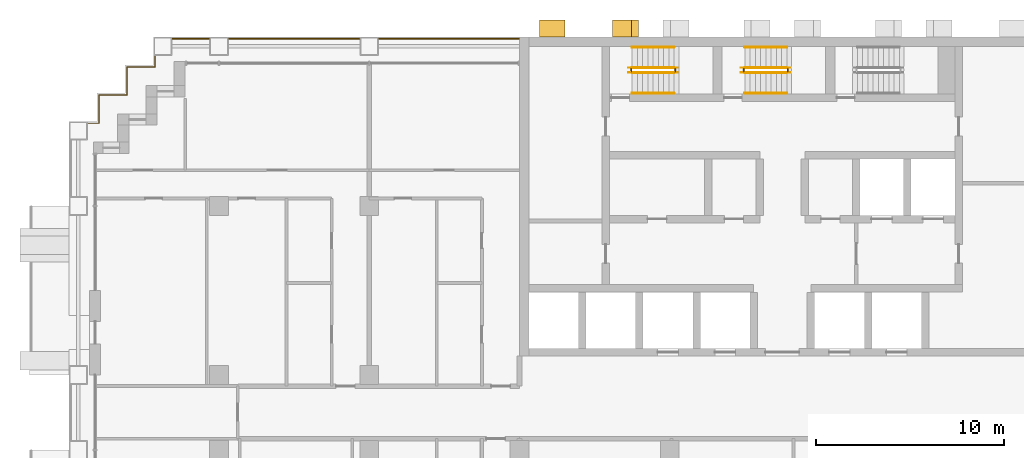
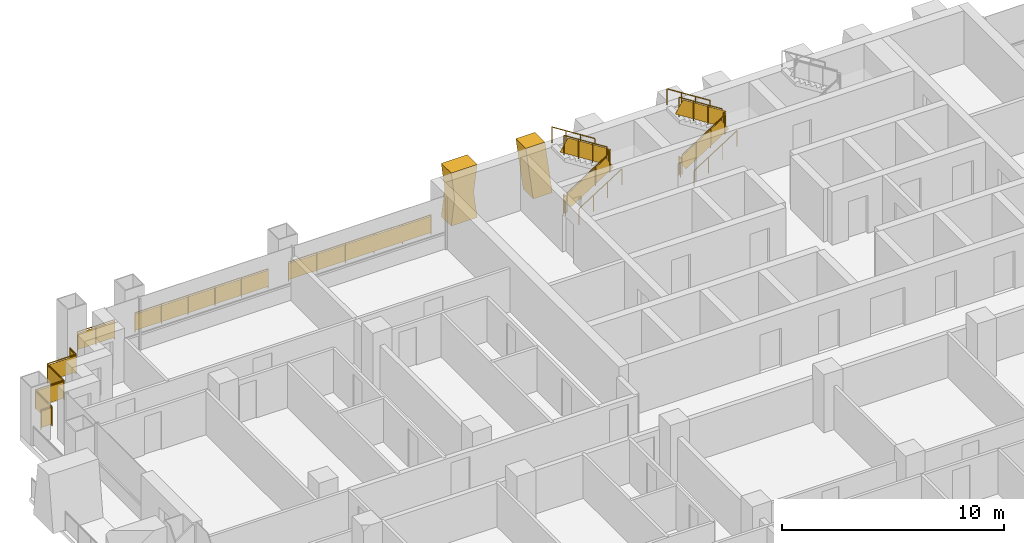
# One storey, part 16 of 18: 16 railings, 2 shading devices.
"""IFC4 building model written with IfcOpenShell, lengths in metres."""

from ifc_helpers import new_model, si_unit, direction, frame, origin, origin_2d, place, context, subcontext, project, spatial, polyline, rectangle, circle, outline, extrude, material, layer, layer_set, type_object, element, save


model = new_model("IFC4")

# Units and contexts
model_context = context("Model", 3, precision=1e-05, world=origin(), true_north=direction((0.0, 1.0)))
body_context = subcontext(model_context, "Body", "Model", "MODEL_VIEW")
ifc_project = project(units=[si_unit("LENGTHUNIT", "METRE"), si_unit("AREAUNIT", "SQUARE_METRE"), si_unit("VOLUMEUNIT", "CUBIC_METRE"), si_unit("PLANEANGLEUNIT", "RADIAN"), si_unit("MASSUNIT", "GRAM", prefix="KILO")], contexts=[model_context])

# Site, building, storey
site_placement = place(None, origin())
site = spatial("IfcSite", under=ifc_project, at=site_placement, CompositionType="ELEMENT")
building_placement = place(site_placement, origin())
building = spatial("IfcBuilding", under=site, at=building_placement, Name="Vidyagriha Tower", CompositionType="ELEMENT")
storey_placement = place(building_placement, frame((0.0, 0.0, 51.199951171875)))
storey = spatial("IfcBuildingStorey", under=building, at=storey_placement, Name="L13", CompositionType="ELEMENT", Elevation=51.199951171875)

# Shading devices
ifc_material_1 = material(Name="Precast concrete C40/50 with brick facing", Category="concrete")
ifc_layer_1 = layer(ifc_material_1, 1.0)
ifc_layer_set_1 = layer_set([ifc_layer_1], Name="Precast concrete C40/50 with brick facing")
shading_device_type_1 = type_object("IfcShadingDeviceType", Name="Brick-faced rear rib arm leaning 8 degrees", PredefinedType="USERDEFINED", material=ifc_layer_set_1)
shading_device_1_placement = place(storey_placement, frame((-7.656982421875, 20.449951171875, 0.0), z_axis=(0.0, 0.0, 1.0), x_axis=(-1.0, 0.0, 0.0)))
element("IfcShadingDevice", 1, at=shading_device_1_placement, inside=storey, type_object=shading_device_type_1, Name="Rear rib arm L13 R08.4a", ObjectType="BLADE FIN", PredefinedType="USERDEFINED", context=body_context, shape_type="SweptSolid", body=[
    extrude(outline(polyline([(0.0, 0.0), (1.0, 0.0), (1.3857421875, 2.920166015625), (0.3857421875, 2.920166015625), (0.0, 0.0)])), frame((0.0, 0.449951171875, 0.0), z_axis=(0.0, -1.0, 0.0), x_axis=(1.0, 0.0, 0.0)), (0.0, 0.0, 1.0), 0.89990234375),
])
ifc_material_2 = material(Name="Precast concrete C40/50 with brick facing", Category="concrete")
ifc_layer_2 = layer(ifc_material_2, 1.0)
ifc_layer_set_2 = layer_set([ifc_layer_2], Name="Precast concrete C40/50 with brick facing")
shading_device_type_2 = type_object("IfcShadingDeviceType", Name="Brick-faced rear rib forking 8 degrees", PredefinedType="USERDEFINED", material=ifc_layer_set_2)
shading_device_2_placement = place(storey_placement, frame((-11.5712890625, 20.449951171875, 0.0), z_axis=(0.0, 0.0, 1.0), x_axis=(-1.0, 0.0, 0.0)))
element("IfcShadingDevice", 2, at=shading_device_2_placement, inside=storey, type_object=shading_device_type_2, Name="Rear rib fork L13 R08.5a", ObjectType="BLADE FIN", PredefinedType="USERDEFINED", context=body_context, shape_type="SweptSolid", body=[
    extrude(outline(polyline([(0.0, 0.0), (1.357177734375, 0.0), (1.1787109375, 1.4599609375), (1.357177734375, 2.920166015625), (0.0, 2.920166015625), (0.1787109375, 1.4599609375), (0.0, 0.0)])), frame((0.0, 0.449951171875, 0.0), z_axis=(0.0, -1.0, 0.0), x_axis=(1.0, 0.0, 0.0)), (0.0, 0.0, 1.0), 0.89990234375),
])

# Railings
ifc_material_3 = material(Name="Steel ASTM A500 Grade C black painted", Category="steel")
railing_type_1 = type_object("IfcRailingType", Name="Gallery guard 1100", PredefinedType="GUARDRAIL", material=ifc_material_3)
railing_1_placement = place(storey_placement, frame((-36.969970703125, 15.39990234375, 0.0)))
element("IfcRailing", 3, at=railing_1_placement, inside=storey, type_object=railing_type_1, Name="Gallery guard L13 5", PredefinedType="GUARDRAIL", context=body_context, shape_type="SweptSolid", body=[
    extrude(circle(Radius=0.02490234375, at=origin_2d()), frame((0.0, 0.0, 1.0751953125), z_axis=(1.0, 0.0, 0.0), x_axis=(0.0, 1.0, 0.0)), (0.0, 0.0, 1.0), 0.570068359375),
    extrude(circle(Radius=0.02490234375, at=origin_2d()), frame((0.570068359375, 0.0, 1.0751953125), z_axis=(0.0, 1.0, 0.0), x_axis=(-1.0, 0.0, 0.0)), (0.0, 0.0, 1.0), 1.5),
    extrude(circle(Radius=0.02490234375, at=origin_2d()), frame((0.570068359375, 1.5, 1.0751953125), z_axis=(1.0, 0.0, 0.0), x_axis=(0.0, 1.0, 0.0)), (0.0, 0.0, 1.0), 1.5),
    extrude(circle(Radius=0.02490234375, at=origin_2d()), frame((2.070068359375, 1.5, 1.0751953125), z_axis=(0.0, 1.0, 0.0), x_axis=(-1.0, 0.0, 0.0)), (0.0, 0.0, 1.0), 1.5),
    extrude(circle(Radius=0.02490234375, at=origin_2d()), frame((2.070068359375, 3.0, 1.0751953125), z_axis=(1.0, 0.0, 0.0), x_axis=(0.0, 1.0, 0.0)), (0.0, 0.0, 1.0), 1.5),
    extrude(circle(Radius=0.02490234375, at=origin_2d()), frame((3.570068359375, 3.0, 1.0751953125), z_axis=(0.0, 1.0, 0.0), x_axis=(-1.0, 0.0, 0.0)), (0.0, 0.0, 1.0), 0.570068359375),
    extrude(circle(Radius=0.02001953125, at=origin_2d()), origin(), (0.0, 0.0, 1.0), 1.050048828125),
    extrude(circle(Radius=0.02001953125, at=origin_2d()), frame((0.570068359375, 0.0, 0.0)), (0.0, 0.0, 1.0), 1.050048828125),
    extrude(circle(Radius=0.02001953125, at=origin_2d()), frame((0.570068359375, 1.5, 0.0)), (0.0, 0.0, 1.0), 1.050048828125),
    extrude(circle(Radius=0.02001953125, at=origin_2d()), frame((2.070068359375, 1.5, 0.0)), (0.0, 0.0, 1.0), 1.050048828125),
    extrude(circle(Radius=0.02001953125, at=origin_2d()), frame((2.070068359375, 3.0, 0.0)), (0.0, 0.0, 1.0), 1.050048828125),
    extrude(circle(Radius=0.02001953125, at=origin_2d()), frame((3.570068359375, 3.0, 0.0)), (0.0, 0.0, 1.0), 1.050048828125),
    extrude(circle(Radius=0.02001953125, at=origin_2d()), frame((3.570068359375, 3.570068359375, 0.0)), (0.0, 0.0, 1.0), 1.050048828125),
    extrude(rectangle(XDim=0.010009765625, YDim=0.900146484375, at=origin_2d()), frame((0.0, 0.0, 0.550048828125), z_axis=(1.0, 0.0, 0.0), x_axis=(0.0, 1.0, 0.0)), (0.0, 0.0, 1.0), 0.570068359375),
    extrude(rectangle(XDim=0.010009765625, YDim=0.900146484375, at=origin_2d()), frame((0.570068359375, 0.0, 0.550048828125), z_axis=(0.0, 1.0, 0.0), x_axis=(-1.0, 0.0, 0.0)), (0.0, 0.0, 1.0), 1.5),
    extrude(rectangle(XDim=0.010009765625, YDim=0.900146484375, at=origin_2d()), frame((0.570068359375, 1.5, 0.550048828125), z_axis=(1.0, 0.0, 0.0), x_axis=(0.0, 1.0, 0.0)), (0.0, 0.0, 1.0), 1.5),
    extrude(rectangle(XDim=0.010009765625, YDim=0.900146484375, at=origin_2d()), frame((2.070068359375, 1.5, 0.550048828125), z_axis=(0.0, 1.0, 0.0), x_axis=(-1.0, 0.0, 0.0)), (0.0, 0.0, 1.0), 1.5),
    extrude(rectangle(XDim=0.010009765625, YDim=0.900146484375, at=origin_2d()), frame((2.070068359375, 3.0, 0.550048828125), z_axis=(1.0, 0.0, 0.0), x_axis=(0.0, 1.0, 0.0)), (0.0, 0.0, 1.0), 1.5),
    extrude(rectangle(XDim=0.010009765625, YDim=0.900146484375, at=origin_2d()), frame((3.570068359375, 3.0, 0.550048828125), z_axis=(0.0, 1.0, 0.0), x_axis=(-1.0, 0.0, 0.0)), (0.0, 0.0, 1.0), 0.570068359375),
])
railing_2_placement = place(storey_placement, frame((-32.469970703125, 19.89990234375, 0.0)))
element("IfcRailing", 4, at=railing_2_placement, inside=storey, type_object=railing_type_1, Name="Gallery guard L13 7", PredefinedType="GUARDRAIL", context=body_context, shape_type="SweptSolid", body=[
    extrude(circle(Radius=0.02490234375, at=origin_2d()), frame((0.0, 0.0, 1.0751953125), z_axis=(1.0, 0.0, 0.0), x_axis=(0.0, 1.0, 0.0)), (0.0, 0.0, 1.0), 1.93994140625),
    extrude(circle(Radius=0.02001953125, at=origin_2d()), origin(), (0.0, 0.0, 1.0), 1.050048828125),
    extrude(circle(Radius=0.02001953125, at=origin_2d()), frame((0.969970703125, 0.0, 0.0)), (0.0, 0.0, 1.0), 1.050048828125),
    extrude(circle(Radius=0.02001953125, at=origin_2d()), frame((1.93994140625, 0.0, 0.0)), (0.0, 0.0, 1.0), 1.050048828125),
    extrude(rectangle(XDim=0.010009765625, YDim=0.900146484375, at=origin_2d()), frame((0.0, 0.0, 0.550048828125), z_axis=(1.0, 0.0, 0.0), x_axis=(0.0, 1.0, 0.0)), (0.0, 0.0, 1.0), 1.93994140625),
])
railing_3_placement = place(storey_placement, frame((-29.469970703125, 19.89990234375, 0.0)))
element("IfcRailing", 5, at=railing_3_placement, inside=storey, type_object=railing_type_1, Name="Gallery guard L13 8", PredefinedType="GUARDRAIL", context=body_context, shape_type="SweptSolid", body=[
    extrude(circle(Radius=0.02490234375, at=origin_2d()), frame((0.0, 0.0, 1.0751953125), z_axis=(1.0, 0.0, 0.0), x_axis=(0.0, 1.0, 0.0)), (0.0, 0.0, 1.0), 6.93994140625),
    extrude(circle(Radius=0.02001953125, at=origin_2d()), origin(), (0.0, 0.0, 1.0), 1.050048828125),
    extrude(circle(Radius=0.02001953125, at=origin_2d()), frame((1.387939453125, 0.0, 0.0)), (0.0, 0.0, 1.0), 1.050048828125),
    extrude(circle(Radius=0.02001953125, at=origin_2d()), frame((2.77587890625, 0.0, 0.0)), (0.0, 0.0, 1.0), 1.050048828125),
    extrude(circle(Radius=0.02001953125, at=origin_2d()), frame((4.1640625, 0.0, 0.0)), (0.0, 0.0, 1.0), 1.050048828125),
    extrude(circle(Radius=0.02001953125, at=origin_2d()), frame((5.552001953125, 0.0, 0.0)), (0.0, 0.0, 1.0), 1.050048828125),
    extrude(circle(Radius=0.02001953125, at=origin_2d()), frame((6.93994140625, 0.0, 0.0)), (0.0, 0.0, 1.0), 1.050048828125),
    extrude(rectangle(XDim=0.010009765625, YDim=0.900146484375, at=origin_2d()), frame((0.0, 0.0, 0.550048828125), z_axis=(1.0, 0.0, 0.0), x_axis=(0.0, 1.0, 0.0)), (0.0, 0.0, 1.0), 6.93994140625),
])
railing_4_placement = place(storey_placement, frame((-21.469970703125, 19.89990234375, 0.0)))
element("IfcRailing", 6, at=railing_4_placement, inside=storey, type_object=railing_type_1, Name="Gallery guard L13 9", PredefinedType="GUARDRAIL", context=body_context, shape_type="SweptSolid", body=[
    extrude(circle(Radius=0.02490234375, at=origin_2d()), frame((0.0, 0.0, 1.0751953125), z_axis=(1.0, 0.0, 0.0), x_axis=(0.0, 1.0, 0.0)), (0.0, 0.0, 1.0), 7.43994140625),
    extrude(circle(Radius=0.02001953125, at=origin_2d()), origin(), (0.0, 0.0, 1.0), 1.050048828125),
    extrude(circle(Radius=0.02001953125, at=origin_2d()), frame((1.488037109375, 0.0, 0.0)), (0.0, 0.0, 1.0), 1.050048828125),
    extrude(circle(Radius=0.02001953125, at=origin_2d()), frame((2.97607421875, 0.0, 0.0)), (0.0, 0.0, 1.0), 1.050048828125),
    extrude(circle(Radius=0.02001953125, at=origin_2d()), frame((4.4638671875, 0.0, 0.0)), (0.0, 0.0, 1.0), 1.050048828125),
    extrude(circle(Radius=0.02001953125, at=origin_2d()), frame((5.951904296875, 0.0, 0.0)), (0.0, 0.0, 1.0), 1.050048828125),
    extrude(circle(Radius=0.02001953125, at=origin_2d()), frame((7.43994140625, 0.0, 0.0)), (0.0, 0.0, 1.0), 1.050048828125),
    extrude(rectangle(XDim=0.010009765625, YDim=0.900146484375, at=origin_2d()), frame((0.0, 0.0, 0.550048828125), z_axis=(1.0, 0.0, 0.0), x_axis=(0.0, 1.0, 0.0)), (0.0, 0.0, 1.0), 7.43994140625),
])
ifc_material_4 = material(Name="Steel ASTM A500 Grade C", Category="steel")
railing_type_2 = type_object("IfcRailingType", Name="Stair guard 1100 mm, steel balustrade", PredefinedType="GUARDRAIL", material=ifc_material_4)
railing_5_placement = place(storey_placement, frame((-8.0, 18.10009765625, 0.177734375)))
element("IfcRailing", 7, at=railing_5_placement, inside=storey, type_object=railing_type_2, Name="L13 ST1 stair guard 1", PredefinedType="GUARDRAIL", context=body_context, shape_type="SweptSolid", body=[
    extrude(circle(Radius=0.02392578125, at=origin_2d()), frame((0.0, 0.0, 1.076171875), z_axis=(0.84418770128, 0.0, 0.536047689118), x_axis=(0.0, 1.0, 0.0)), (0.0, 0.0, 1.0), 2.6533203125),
    extrude(circle(Radius=0.02099609375, at=origin_2d()), origin(), (0.0, 0.0, 1.0), 1.052001953125),
    extrude(circle(Radius=0.02099609375, at=origin_2d()), frame((0.74658203125, 0.0, 0.47412109375)), (0.0, 0.0, 1.0), 1.052001953125),
    extrude(circle(Radius=0.02099609375, at=origin_2d()), frame((1.493408203125, 0.0, 0.9482421875)), (0.0, 0.0, 1.0), 1.052001953125),
    extrude(circle(Radius=0.02099609375, at=origin_2d()), frame((2.239990234375, 0.0, 1.42236328125)), (0.0, 0.0, 1.0), 1.052001953125),
    extrude(rectangle(XDim=0.010009765625, YDim=0.761474609375, at=origin_2d()), frame((0.0, 0.0, 0.551025390625), z_axis=(0.84418770128, 0.0, 0.536047689118), x_axis=(0.0, 1.0, 0.0)), (0.0, 0.0, 1.0), 2.6533203125),
])
railing_6_placement = place(storey_placement, frame((-5.7099609375, 18.14990234375, 1.60009765625)))
element("IfcRailing", 8, at=railing_6_placement, inside=storey, type_object=railing_type_2, Name="L13 ST1 stair guard 2", PredefinedType="GUARDRAIL", context=body_context, shape_type="SweptSolid", body=[
    extrude(circle(Radius=0.02392578125, at=origin_2d()), frame((0.0, 0.0, 1.076171875), z_axis=(0.0, 1.0, 0.0), x_axis=(-1.0, 0.0, 0.0)), (0.0, 0.0, 1.0), 0.150146484375),
    extrude(circle(Radius=0.02099609375, at=origin_2d()), origin(), (0.0, 0.0, 1.0), 1.052001953125),
    extrude(circle(Radius=0.02099609375, at=origin_2d()), frame((0.0, 0.150146484375, 0.0)), (0.0, 0.0, 1.0), 1.052001953125),
    extrude(rectangle(XDim=0.010009765625, YDim=0.902099609375, at=origin_2d()), frame((0.0, 0.0, 0.551025390625), z_axis=(0.0, 1.0, 0.0), x_axis=(-1.0, 0.0, 0.0)), (0.0, 0.0, 1.0), 0.150146484375),
])
railing_7_placement = place(storey_placement, frame((-5.760009765625, 18.35009765625, 1.77783203125)))
element("IfcRailing", 9, at=railing_7_placement, inside=storey, type_object=railing_type_2, Name="L13 ST1 stair guard 3", PredefinedType="GUARDRAIL", context=body_context, shape_type="SweptSolid", body=[
    extrude(circle(Radius=0.02392578125, at=origin_2d()), frame((0.0, 0.0, 1.076171875), z_axis=(-0.8442293374, 0.0, 0.53598211339), x_axis=(0.0, -1.0, 0.0)), (0.0, 0.0, 1.0), 2.6533203125),
    extrude(circle(Radius=0.02099609375, at=origin_2d()), origin(), (0.0, 0.0, 1.0), 1.052001953125),
    extrude(circle(Radius=0.02099609375, at=origin_2d()), frame((-0.74658203125, 0.0, 0.47412109375)), (0.0, 0.0, 1.0), 1.052001953125),
    extrude(circle(Radius=0.02099609375, at=origin_2d()), frame((-1.493408203125, 0.0, 0.947998046875)), (0.0, 0.0, 1.0), 1.052001953125),
    extrude(circle(Radius=0.02099609375, at=origin_2d()), frame((-2.239990234375, 0.0, 1.422119140625)), (0.0, 0.0, 1.0), 1.052001953125),
    extrude(rectangle(XDim=0.010009765625, YDim=0.761474609375, at=origin_2d()), frame((0.0, 0.0, 0.551025390625), z_axis=(-0.8442293374, 0.0, 0.53598211339), x_axis=(0.0, -1.0, 0.0)), (0.0, 0.0, 1.0), 2.6533203125),
])
railing_8_placement = place(storey_placement, frame((-8.050048828125, 18.14990234375, 0.0)))
element("IfcRailing", 10, at=railing_8_placement, inside=storey, type_object=railing_type_2, Name="L13 ST1 stair guard 4", PredefinedType="GUARDRAIL", context=body_context, shape_type="SweptSolid", body=[
    extrude(circle(Radius=0.02392578125, at=origin_2d()), frame((0.0, 0.0, 1.076171875), z_axis=(0.0, 1.0, 0.0), x_axis=(-1.0, 0.0, 0.0)), (0.0, 0.0, 1.0), 0.150146484375),
    extrude(circle(Radius=0.02099609375, at=origin_2d()), origin(), (0.0, 0.0, 1.0), 1.052001953125),
    extrude(circle(Radius=0.02099609375, at=origin_2d()), frame((0.0, 0.150146484375, 0.0)), (0.0, 0.0, 1.0), 1.052001953125),
    extrude(rectangle(XDim=0.010009765625, YDim=0.902099609375, at=origin_2d()), frame((0.0, 0.0, 0.551025390625), z_axis=(0.0, 1.0, 0.0), x_axis=(-1.0, 0.0, 0.0)), (0.0, 0.0, 1.0), 0.150146484375),
])
railing_9_placement = place(storey_placement, frame((-2.0, 18.10009765625, 0.177734375)))
element("IfcRailing", 11, at=railing_9_placement, inside=storey, type_object=railing_type_2, Name="L13 ST2 stair guard 1", PredefinedType="GUARDRAIL", context=body_context, shape_type="SweptSolid", body=[
    extrude(circle(Radius=0.02392578125, at=origin_2d()), frame((0.0, 0.0, 1.076171875), z_axis=(0.84418770128, 0.0, 0.536047689118), x_axis=(0.0, 1.0, 0.0)), (0.0, 0.0, 1.0), 2.6533203125),
    extrude(circle(Radius=0.02099609375, at=origin_2d()), origin(), (0.0, 0.0, 1.0), 1.052001953125),
    extrude(circle(Radius=0.02099609375, at=origin_2d()), frame((0.74658203125, 0.0, 0.47412109375)), (0.0, 0.0, 1.0), 1.052001953125),
    extrude(circle(Radius=0.02099609375, at=origin_2d()), frame((1.493408203125, 0.0, 0.9482421875)), (0.0, 0.0, 1.0), 1.052001953125),
    extrude(circle(Radius=0.02099609375, at=origin_2d()), frame((2.239990234375, 0.0, 1.42236328125)), (0.0, 0.0, 1.0), 1.052001953125),
    extrude(rectangle(XDim=0.010009765625, YDim=0.761474609375, at=origin_2d()), frame((0.0, 0.0, 0.551025390625), z_axis=(0.84418770128, 0.0, 0.536047689118), x_axis=(0.0, 1.0, 0.0)), (0.0, 0.0, 1.0), 2.6533203125),
])
railing_10_placement = place(storey_placement, frame((0.2900390625, 18.14990234375, 1.60009765625)))
element("IfcRailing", 12, at=railing_10_placement, inside=storey, type_object=railing_type_2, Name="L13 ST2 stair guard 2", PredefinedType="GUARDRAIL", context=body_context, shape_type="SweptSolid", body=[
    extrude(circle(Radius=0.02392578125, at=origin_2d()), frame((0.0, 0.0, 1.076171875), z_axis=(0.0, 1.0, 0.0), x_axis=(-1.0, 0.0, 0.0)), (0.0, 0.0, 1.0), 0.150146484375),
    extrude(circle(Radius=0.02099609375, at=origin_2d()), origin(), (0.0, 0.0, 1.0), 1.052001953125),
    extrude(circle(Radius=0.02099609375, at=origin_2d()), frame((0.0, 0.150146484375, 0.0)), (0.0, 0.0, 1.0), 1.052001953125),
    extrude(rectangle(XDim=0.010009765625, YDim=0.902099609375, at=origin_2d()), frame((0.0, 0.0, 0.551025390625), z_axis=(0.0, 1.0, 0.0), x_axis=(-1.0, 0.0, 0.0)), (0.0, 0.0, 1.0), 0.150146484375),
])
railing_11_placement = place(storey_placement, frame((0.239990234375, 18.35009765625, 1.77783203125)))
element("IfcRailing", 13, at=railing_11_placement, inside=storey, type_object=railing_type_2, Name="L13 ST2 stair guard 3", PredefinedType="GUARDRAIL", context=body_context, shape_type="SweptSolid", body=[
    extrude(circle(Radius=0.02392578125, at=origin_2d()), frame((0.0, 0.0, 1.076171875), z_axis=(-0.8442293374, 0.0, 0.53598211339), x_axis=(0.0, -1.0, 0.0)), (0.0, 0.0, 1.0), 2.6533203125),
    extrude(circle(Radius=0.02099609375, at=origin_2d()), origin(), (0.0, 0.0, 1.0), 1.052001953125),
    extrude(circle(Radius=0.02099609375, at=origin_2d()), frame((-0.74658203125, 0.0, 0.47412109375)), (0.0, 0.0, 1.0), 1.052001953125),
    extrude(circle(Radius=0.02099609375, at=origin_2d()), frame((-1.493408203125, 0.0, 0.947998046875)), (0.0, 0.0, 1.0), 1.052001953125),
    extrude(circle(Radius=0.02099609375, at=origin_2d()), frame((-2.239990234375, 0.0, 1.422119140625)), (0.0, 0.0, 1.0), 1.052001953125),
    extrude(rectangle(XDim=0.010009765625, YDim=0.761474609375, at=origin_2d()), frame((0.0, 0.0, 0.551025390625), z_axis=(-0.8442293374, 0.0, 0.53598211339), x_axis=(0.0, -1.0, 0.0)), (0.0, 0.0, 1.0), 2.6533203125),
])
railing_12_placement = place(storey_placement, frame((-2.050048828125, 18.14990234375, 0.0)))
element("IfcRailing", 14, at=railing_12_placement, inside=storey, type_object=railing_type_2, Name="L13 ST2 stair guard 4", PredefinedType="GUARDRAIL", context=body_context, shape_type="SweptSolid", body=[
    extrude(circle(Radius=0.02392578125, at=origin_2d()), frame((0.0, 0.0, 1.076171875), z_axis=(0.0, 1.0, 0.0), x_axis=(-1.0, 0.0, 0.0)), (0.0, 0.0, 1.0), 0.150146484375),
    extrude(circle(Radius=0.02099609375, at=origin_2d()), origin(), (0.0, 0.0, 1.0), 1.052001953125),
    extrude(circle(Radius=0.02099609375, at=origin_2d()), frame((0.0, 0.150146484375, 0.0)), (0.0, 0.0, 1.0), 1.052001953125),
    extrude(rectangle(XDim=0.010009765625, YDim=0.902099609375, at=origin_2d()), frame((0.0, 0.0, 0.551025390625), z_axis=(0.0, 1.0, 0.0), x_axis=(-1.0, 0.0, 0.0)), (0.0, 0.0, 1.0), 0.150146484375),
])
ifc_material_5 = material(Name="Steel ASTM A500 Grade C", Category="steel")
railing_type_3 = type_object("IfcRailingType", Name="Stair handrail 900 mm, steel", PredefinedType="HANDRAIL", material=ifc_material_5)
railing_13_placement = place(storey_placement, frame((-8.0, 17.0, 0.177734375)))
element("IfcRailing", 15, at=railing_13_placement, inside=storey, type_object=railing_type_3, Name="L13 ST1 stair handrail 1", PredefinedType="HANDRAIL", context=body_context, shape_type="SweptSolid", body=[
    extrude(circle(Radius=0.02392578125, at=origin_2d()), frame((0.0, 0.0, 0.8759765625), z_axis=(0.84418770128, 0.0, 0.536047689118), x_axis=(0.0, 1.0, 0.0)), (0.0, 0.0, 1.0), 2.6533203125),
    extrude(circle(Radius=0.02099609375, at=origin_2d()), origin(), (0.0, 0.0, 1.0), 0.851806640625),
    extrude(circle(Radius=0.02099609375, at=origin_2d()), frame((0.74658203125, 0.0, 0.47412109375)), (0.0, 0.0, 1.0), 0.851806640625),
    extrude(circle(Radius=0.02099609375, at=origin_2d()), frame((1.493408203125, 0.0, 0.9482421875)), (0.0, 0.0, 1.0), 0.851806640625),
    extrude(circle(Radius=0.02099609375, at=origin_2d()), frame((2.239990234375, 0.0, 1.42236328125)), (0.0, 0.0, 1.0), 0.851806640625),
])
railing_14_placement = place(storey_placement, frame((-5.760009765625, 19.449951171875, 1.77783203125)))
element("IfcRailing", 16, at=railing_14_placement, inside=storey, type_object=railing_type_3, Name="L13 ST1 stair handrail 2", PredefinedType="HANDRAIL", context=body_context, shape_type="SweptSolid", body=[
    extrude(circle(Radius=0.02392578125, at=origin_2d()), frame((0.0, 0.0, 0.8759765625), z_axis=(-0.8442293374, 0.0, 0.53598211339), x_axis=(0.0, -1.0, 0.0)), (0.0, 0.0, 1.0), 2.6533203125),
    extrude(circle(Radius=0.02099609375, at=origin_2d()), origin(), (0.0, 0.0, 1.0), 0.851806640625),
    extrude(circle(Radius=0.02099609375, at=origin_2d()), frame((-0.74658203125, 0.0, 0.47412109375)), (0.0, 0.0, 1.0), 0.851806640625),
    extrude(circle(Radius=0.02099609375, at=origin_2d()), frame((-1.493408203125, 0.0, 0.947998046875)), (0.0, 0.0, 1.0), 0.851806640625),
    extrude(circle(Radius=0.02099609375, at=origin_2d()), frame((-2.239990234375, 0.0, 1.422119140625)), (0.0, 0.0, 1.0), 0.851806640625),
])
railing_15_placement = place(storey_placement, frame((-2.0, 17.0, 0.177734375)))
element("IfcRailing", 17, at=railing_15_placement, inside=storey, type_object=railing_type_3, Name="L13 ST2 stair handrail 1", PredefinedType="HANDRAIL", context=body_context, shape_type="SweptSolid", body=[
    extrude(circle(Radius=0.02392578125, at=origin_2d()), frame((0.0, 0.0, 0.8759765625), z_axis=(0.84418770128, 0.0, 0.536047689118), x_axis=(0.0, 1.0, 0.0)), (0.0, 0.0, 1.0), 2.6533203125),
    extrude(circle(Radius=0.02099609375, at=origin_2d()), origin(), (0.0, 0.0, 1.0), 0.851806640625),
    extrude(circle(Radius=0.02099609375, at=origin_2d()), frame((0.74658203125, 0.0, 0.47412109375)), (0.0, 0.0, 1.0), 0.851806640625),
    extrude(circle(Radius=0.02099609375, at=origin_2d()), frame((1.493408203125, 0.0, 0.9482421875)), (0.0, 0.0, 1.0), 0.851806640625),
    extrude(circle(Radius=0.02099609375, at=origin_2d()), frame((2.239990234375, 0.0, 1.42236328125)), (0.0, 0.0, 1.0), 0.851806640625),
])
railing_16_placement = place(storey_placement, frame((0.239990234375, 19.449951171875, 1.77783203125)))
element("IfcRailing", 18, at=railing_16_placement, inside=storey, type_object=railing_type_3, Name="L13 ST2 stair handrail 2", PredefinedType="HANDRAIL", context=body_context, shape_type="SweptSolid", body=[
    extrude(circle(Radius=0.02392578125, at=origin_2d()), frame((0.0, 0.0, 0.8759765625), z_axis=(-0.8442293374, 0.0, 0.53598211339), x_axis=(0.0, -1.0, 0.0)), (0.0, 0.0, 1.0), 2.6533203125),
    extrude(circle(Radius=0.02099609375, at=origin_2d()), origin(), (0.0, 0.0, 1.0), 0.851806640625),
    extrude(circle(Radius=0.02099609375, at=origin_2d()), frame((-0.74658203125, 0.0, 0.47412109375)), (0.0, 0.0, 1.0), 0.851806640625),
    extrude(circle(Radius=0.02099609375, at=origin_2d()), frame((-1.493408203125, 0.0, 0.947998046875)), (0.0, 0.0, 1.0), 0.851806640625),
    extrude(circle(Radius=0.02099609375, at=origin_2d()), frame((-2.239990234375, 0.0, 1.422119140625)), (0.0, 0.0, 1.0), 0.851806640625),
])

save(model, "model.ifc")
